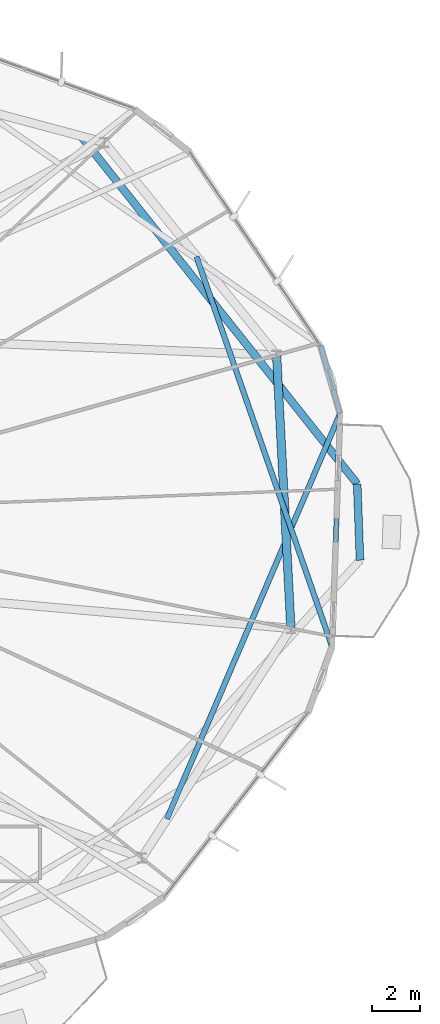
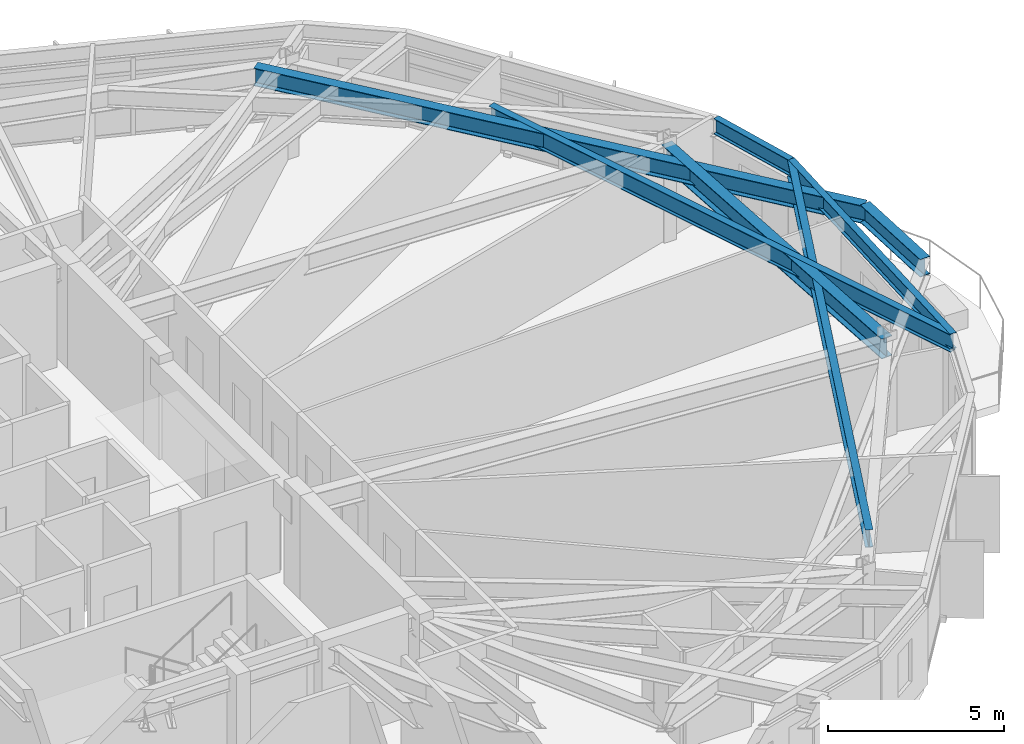
# One storey, part 14 of 30: 7 beams.
"""IFC4 building model written with IfcOpenShell, lengths in metres."""

from ifc_helpers import new_model, si_unit, direction, frame, origin, origin_2d, place, context, subcontext, project, spatial, i_section, extrude, material, material_profile, profile_set, type_object, element, save


model = new_model("IFC4")

# Units and contexts
model_context = context("Model", 3, precision=1e-05, world=origin(), true_north=direction((0.0, 1.0)))
body_context = subcontext(model_context, "Body", "Model", "MODEL_VIEW")
ifc_project = project(units=[si_unit("LENGTHUNIT", "METRE"), si_unit("AREAUNIT", "SQUARE_METRE"), si_unit("VOLUMEUNIT", "CUBIC_METRE"), si_unit("PLANEANGLEUNIT", "RADIAN"), si_unit("MASSUNIT", "GRAM", prefix="KILO")], contexts=[model_context])

# Site, building, storey
site_placement = place(None, origin())
site = spatial("IfcSite", under=ifc_project, at=site_placement, CompositionType="ELEMENT")
building_placement = place(site_placement, origin())
building = spatial("IfcBuilding", under=site, at=building_placement, Name="Soratama Intermodal Tower", CompositionType="ELEMENT")
storey_placement = place(building_placement, frame((0.0, 0.0, 223.0)))
storey = spatial("IfcBuildingStorey", under=building, at=storey_placement, Name="L56", CompositionType="ELEMENT", Elevation=223.0)

# Beams
ifc_material_1 = material(Name="Structural steel ASTM A992 Grade 50", Category="steel")
ifc_material_profile_1 = material_profile(ifc_material_1, i_section(OverallWidth=0.324951171875, OverallDepth=0.615966796875, WebThickness=0.013916015625, FlangeThickness=0.021484375, FilletRadius=0.013916015625, at=origin_2d()), Name="W24X117")
ifc_profile_set_1 = profile_set([ifc_material_profile_1], Name="Structural steel ASTM A992 Grade 50")
beam_type_1 = type_object("IfcBeamType", Name="BM-CANT-W24X117", PredefinedType="BEAM", material=ifc_profile_set_1)
beam_1_placement = place(storey_placement, frame((65.867919921875, 23.049072265625, 2.991943359375), z_axis=(-0.036465409055, 0.999334915803, 0.0), x_axis=(-0.999334915803, -0.036465409055, 0.0)))
element("IfcBeam", 1, at=beam_1_placement, inside=storey, type_object=beam_type_1, Name="BM-L56-CBHDR-1", PredefinedType="BEAM", context=body_context, shape_type="SweptSolid", body=[
    extrude(i_section(OverallWidth=0.324951171875, OverallDepth=0.615966796875, WebThickness=0.013916015625, FlangeThickness=0.021484375, FilletRadius=0.013916015625, at=origin_2d()), origin(), (0.0, 0.0, 1.0), 3.20703125),
])
beam_2_placement = place(storey_placement, frame((54.173095703125, 40.8310546875, 2.991943359375), z_axis=(0.621945064997, -0.783060876386, 0.0), x_axis=(0.783060876386, 0.621945064997, 0.0)))
element("IfcBeam", 2, at=beam_2_placement, inside=storey, type_object=beam_type_1, Name="BM-L56-CANT-1-2", PredefinedType="BEAM", context=body_context, shape_type="SweptSolid", body=[
    extrude(i_section(OverallWidth=0.324951171875, OverallDepth=0.615966796875, WebThickness=0.013916015625, FlangeThickness=0.021484375, FilletRadius=0.013916015625, at=origin_2d()), origin(), (0.0, 0.0, 1.0), 18.615478515625),
])
ifc_material_2 = material(Name="Structural steel ASTM A992 Grade 50", Category="steel")
ifc_material_profile_2 = material_profile(ifc_material_2, i_section(OverallWidth=0.35498046875, OverallDepth=0.695068359375, WebThickness=0.015380859375, FlangeThickness=0.02490234375, FilletRadius=0.01611328125, at=origin_2d()), Name="W27X146")
ifc_profile_set_2 = profile_set([ifc_material_profile_2], Name="Structural steel ASTM A992 Grade 50")
beam_type_2 = type_object("IfcBeamType", Name="BM-RING-W27X146", PredefinedType="BEAM", material=ifc_profile_set_2)
beam_3_placement = place(storey_placement, frame((62.966064453125, 20.18603515625, 2.952392578125), z_axis=(-0.052286849724, 0.998632107108, 0.0), x_axis=(-0.998632107108, -0.052286849724, 0.0)))
element("IfcBeam", 3, at=beam_3_placement, inside=storey, type_object=beam_type_2, Name="BM-L56-RING-10", PredefinedType="BEAM", context=body_context, shape_type="SweptSolid", body=[
    extrude(i_section(OverallWidth=0.35498046875, OverallDepth=0.695068359375, WebThickness=0.015380859375, FlangeThickness=0.02490234375, FilletRadius=0.01611328125, at=origin_2d()), origin(), (0.0, 0.0, 1.0), 11.49560546875),
])
ifc_material_3 = material(Name="Structural steel ASTM A992 Grade 50", Category="steel")
ifc_material_profile_3 = material_profile(ifc_material_3, i_section(OverallWidth=0.2099609375, OverallDepth=0.537109375, WebThickness=0.010986328125, FlangeThickness=0.017333984375, FilletRadius=0.012939453125, at=origin_2d()), Name="W21X68")
ifc_profile_set_3 = profile_set([ifc_material_profile_3], Name="Structural steel ASTM A992 Grade 50")
beam_type_3 = type_object("IfcBeamType", Name="BM-SPN-W21X68", PredefinedType="SPANDREL", material=ifc_profile_set_3)
beam_4_placement = place(storey_placement, frame((64.696044921875, 19.4169921875, 3.031494140625), z_axis=(0.034486305871, 0.999405170443, 0.0), x_axis=(-0.999405170443, 0.034486305871, 0.0)))
element("IfcBeam", 4, at=beam_4_placement, inside=storey, type_object=beam_type_3, Name="BS-L56-F09", PredefinedType="SPANDREL", context=body_context, shape_type="SweptSolid", body=[
    extrude(i_section(OverallWidth=0.2099609375, OverallDepth=0.537109375, WebThickness=0.010986328125, FlangeThickness=0.017333984375, FilletRadius=0.012939453125, at=origin_2d()), origin(), (0.0, 0.0, 1.0), 9.7978515625),
])
beam_5_placement = place(storey_placement, frame((65.033935546875, 29.208984375, 3.031494140625), z_axis=(-0.275742875374, 0.961231432424, 0.0), x_axis=(-0.961231432424, -0.275742875374, 0.0)))
element("IfcBeam", 5, at=beam_5_placement, inside=storey, type_object=beam_type_3, Name="BS-L56-CRN09", PredefinedType="SPANDREL", context=body_context, shape_type="SweptSolid", body=[
    extrude(i_section(OverallWidth=0.2099609375, OverallDepth=0.537109375, WebThickness=0.010986328125, FlangeThickness=0.017333984375, FilletRadius=0.012939453125, at=origin_2d()), origin(), (0.0, 0.0, 1.0), 2.966064453125),
])
ifc_material_4 = material(Name="Structural steel ASTM A992 Grade 50", Category="steel")
ifc_material_profile_4 = material_profile(ifc_material_4, i_section(OverallWidth=0.22900390625, OverallDepth=0.612060546875, WebThickness=0.011962890625, FlangeThickness=0.01953125, FilletRadius=0.012939453125, at=origin_2d()), Name="W24X84")
ifc_profile_set_4 = profile_set([ifc_material_profile_4], Name="Structural steel ASTM A992 Grade 50")
beam_type_4 = type_object("IfcBeamType", Name="BM-TIE-W24X84", PredefinedType="BEAM", material=ifc_profile_set_4)
beam_6_placement = place(storey_placement, frame((58.9990234375, 35.801025390625, 2.993896484375), z_axis=(0.328429459297, -0.944528501563, 0.0), x_axis=(0.944528501563, 0.328429459297, 0.0)))
element("IfcBeam", 6, at=beam_6_placement, inside=storey, type_object=beam_type_4, Name="BM-L56-TIE0-09", PredefinedType="BEAM", context=body_context, shape_type="SweptSolid", body=[
    extrude(i_section(OverallWidth=0.22900390625, OverallDepth=0.612060546875, WebThickness=0.011962890625, FlangeThickness=0.01953125, FilletRadius=0.012939453125, at=origin_2d()), origin(), (0.0, 0.0, 1.0), 17.34619140625),
])
beam_7_placement = place(storey_placement, frame((57.758056640625, 12.178955078125, 2.993896484375), z_axis=(0.392883264564, 0.91958835379, 0.0), x_axis=(-0.91958835379, 0.392883264564, 0.0)))
element("IfcBeam", 7, at=beam_7_placement, inside=storey, type_object=beam_type_4, Name="BM-L56-TIE1-09", PredefinedType="BEAM", context=body_context, shape_type="SweptSolid", body=[
    extrude(i_section(OverallWidth=0.22900390625, OverallDepth=0.612060546875, WebThickness=0.011962890625, FlangeThickness=0.01953125, FilletRadius=0.012939453125, at=origin_2d()), origin(), (0.0, 0.0, 1.0), 18.519287109375),
])

save(model, "model.ifc")
